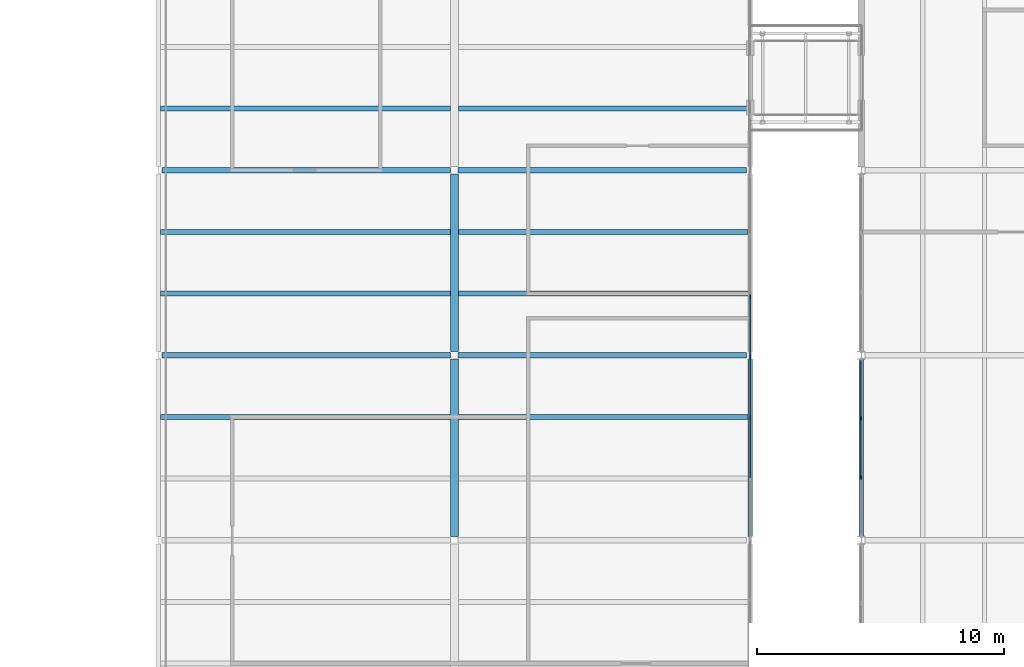
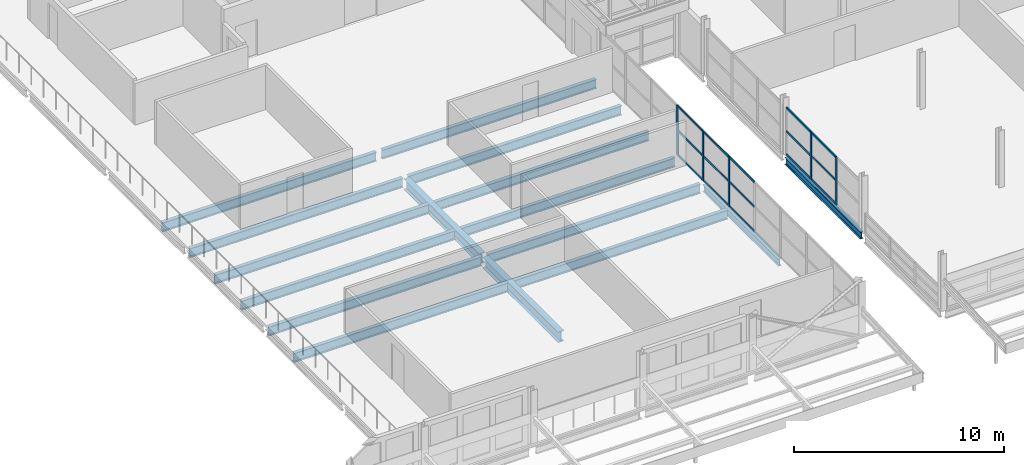
# One storey, part 38 of 214: 20 members, 16 beams, 2 elements without a shape of their own.
"""IFC4 building model written with IfcOpenShell, lengths in metres."""

from ifc_helpers import new_model, si_unit, direction, frame, origin, origin_2d, place, context, subcontext, project, spatial, rectangle, i_section, extrude, material, material_profile, profile_set, type_object, element, aggregate, save


model = new_model("IFC4")

# Units and contexts
model_context = context("Model", 3, precision=1e-05, world=origin(), true_north=direction((0.0, 1.0)))
body_context = subcontext(model_context, "Body", "Model", "MODEL_VIEW")
ifc_project = project(units=[si_unit("LENGTHUNIT", "METRE"), si_unit("AREAUNIT", "SQUARE_METRE"), si_unit("VOLUMEUNIT", "CUBIC_METRE"), si_unit("PLANEANGLEUNIT", "RADIAN"), si_unit("MASSUNIT", "GRAM", prefix="KILO")], contexts=[model_context])

# Site, building, storey
site_placement = place(None, origin())
site = spatial("IfcSite", under=ifc_project, at=site_placement, CompositionType="ELEMENT")
building_placement = place(site_placement, origin())
building = spatial("IfcBuilding", under=site, at=building_placement, Name="Parallax Yard Mobility Hub", CompositionType="ELEMENT")
storey_placement = place(building_placement, frame((0.0, 0.0, 3.300048828125)))
storey = spatial("IfcBuildingStorey", under=building, at=storey_placement, Name="L01", CompositionType="ELEMENT", Elevation=3.300048828125)

# Curtain wall, members
ifc_material_1 = material(Name="Thermally broken aluminium curtain wall system", Category="aluminium")
curtain_wall_type = type_object("IfcCurtainWallType", Name="Curtain wall run 60 x 160 frame", PredefinedType="NOTDEFINED", material=ifc_material_1)
curtain_wall_1_placement = place(storey_placement, origin())
curtain_wall_1 = element("IfcCurtainWall", 1, at=curtain_wall_1_placement, inside=storey, type_object=curtain_wall_type, Name="Curtain wall run Bus and taxi deck east end bay 1 level L01", PredefinedType="NOTDEFINED")
ifc_material_2 = material(Name="Extruded aluminium", Category="aluminium")
ifc_material_profile_1 = material_profile(ifc_material_2, rectangle(XDim=0.06005859375, YDim=0.159912109375, at=origin_2d()), Name="Mullion 60 x 160")
ifc_profile_set_1 = profile_set([ifc_material_profile_1], Name="Extruded aluminium")
member_type_1 = type_object("IfcMemberType", Name="Mullion 60 x 160", PredefinedType="MULLION", material=ifc_profile_set_1)
member_1_placement = place(storey_placement, frame((93.0, 19.96826171875, 0.0), z_axis=(0.0, 0.0, 1.0), x_axis=(-1.0, 0.0, 0.0)))
member_1 = element("IfcMember", 2, at=member_1_placement, type_object=member_type_1, Name="CW1 mullion 6", PredefinedType="MULLION", context=body_context, shape_type="SweptSolid", body=[
    extrude(rectangle(XDim=0.06005859375, YDim=0.159912109375, at=origin_2d()), origin(), (0.0, 0.0, 1.0), 2.89404296875),
])
member_2_placement = place(storey_placement, frame((93.0, 22.424560546875, 0.0), z_axis=(0.0, 0.0, 1.0), x_axis=(-1.0, 0.0, 0.0)))
member_2 = element("IfcMember", 3, at=member_2_placement, type_object=member_type_1, Name="CW1 mullion 7", PredefinedType="MULLION", context=body_context, shape_type="SweptSolid", body=[
    extrude(rectangle(XDim=0.06005859375, YDim=0.159912109375, at=origin_2d()), origin(), (0.0, 0.0, 1.0), 2.89404296875),
])
member_3_placement = place(storey_placement, frame((93.0, 24.880859375, 0.0), z_axis=(0.0, 0.0, 1.0), x_axis=(-1.0, 0.0, 0.0)))
member_3 = element("IfcMember", 4, at=member_3_placement, type_object=member_type_1, Name="CW1 mullion 8", PredefinedType="MULLION", context=body_context, shape_type="SweptSolid", body=[
    extrude(rectangle(XDim=0.06005859375, YDim=0.159912109375, at=origin_2d()), origin(), (0.0, 0.0, 1.0), 2.89404296875),
])

curtain_wall_2_placement = place(storey_placement, origin())
curtain_wall_2 = element("IfcCurtainWall", 5, at=curtain_wall_2_placement, inside=storey, type_object=curtain_wall_type, Name="Curtain wall run Mobility service centre and workshops west bay 2 level L01", PredefinedType="NOTDEFINED")
member_4_placement = place(storey_placement, frame((97.5, 17.55126953125, 0.0), z_axis=(0.0, 0.0, 1.0), x_axis=(-1.0, 0.0, 0.0)))
member_4 = element("IfcMember", 6, at=member_4_placement, type_object=member_type_1, Name="CW1 mullion 2", PredefinedType="MULLION", context=body_context, shape_type="SweptSolid", body=[
    extrude(rectangle(XDim=0.06005859375, YDim=0.159912109375, at=origin_2d()), origin(), (0.0, 0.0, 1.0), 2.7509765625),
])
member_5_placement = place(storey_placement, frame((97.5, 19.94873046875, 0.0), z_axis=(0.0, 0.0, 1.0), x_axis=(-1.0, 0.0, 0.0)))
member_5 = element("IfcMember", 7, at=member_5_placement, type_object=member_type_1, Name="CW1 mullion 3", PredefinedType="MULLION", context=body_context, shape_type="SweptSolid", body=[
    extrude(rectangle(XDim=0.06005859375, YDim=0.159912109375, at=origin_2d()), origin(), (0.0, 0.0, 1.0), 2.7509765625),
])

# Member
ifc_material_profile_2 = material_profile(ifc_material_2, rectangle(XDim=0.06005859375, YDim=0.1201171875, at=origin_2d()), Name="Transom 60 x 120")
ifc_profile_set_2 = profile_set([ifc_material_profile_2], Name="Extruded aluminium")
member_type_2 = type_object("IfcMemberType", Name="Transom 60 x 120", PredefinedType="USERDEFINED", material=ifc_profile_set_2)
member_6_placement = place(storey_placement, frame((93.0, 17.5419921875, 0.030029296875), z_axis=(0.0, 1.0, 0.0), x_axis=(-1.0, 0.0, 0.0)))
member_6 = element("IfcMember", 8, at=member_6_placement, type_object=member_type_2, Name="CW1 transom 5.1", ObjectType="TRANSOM", PredefinedType="USERDEFINED", context=body_context, shape_type="SweptSolid", body=[
    extrude(rectangle(XDim=0.06005859375, YDim=0.1201171875, at=origin_2d()), origin(), (0.0, 0.0, 1.0), 2.396240234375),
])

member_7_placement = place(storey_placement, frame((93.0, 17.5419921875, 1.447021484375), z_axis=(0.0, 1.0, 0.0), x_axis=(-1.0, 0.0, 0.0)))
member_7 = element("IfcMember", 9, at=member_7_placement, type_object=member_type_2, Name="CW1 transom 5.2", ObjectType="TRANSOM", PredefinedType="USERDEFINED", context=body_context, shape_type="SweptSolid", body=[
    extrude(rectangle(XDim=0.06005859375, YDim=0.1201171875, at=origin_2d()), origin(), (0.0, 0.0, 1.0), 2.396240234375),
])

member_8_placement = place(storey_placement, frame((93.0, 17.5419921875, 2.864013671875), z_axis=(0.0, 1.0, 0.0), x_axis=(-1.0, 0.0, 0.0)))
member_8 = element("IfcMember", 10, at=member_8_placement, type_object=member_type_2, Name="CW1 transom 5.3", ObjectType="TRANSOM", PredefinedType="USERDEFINED", context=body_context, shape_type="SweptSolid", body=[
    extrude(rectangle(XDim=0.06005859375, YDim=0.1201171875, at=origin_2d()), origin(), (0.0, 0.0, 1.0), 2.396240234375),
])

member_9_placement = place(storey_placement, frame((93.0, 19.998291015625, 0.030029296875), z_axis=(0.0, 1.0, 0.0), x_axis=(-1.0, 0.0, 0.0)))
member_9 = element("IfcMember", 11, at=member_9_placement, type_object=member_type_2, Name="CW1 transom 6.1", ObjectType="TRANSOM", PredefinedType="USERDEFINED", context=body_context, shape_type="SweptSolid", body=[
    extrude(rectangle(XDim=0.06005859375, YDim=0.1201171875, at=origin_2d()), origin(), (0.0, 0.0, 1.0), 2.396240234375),
])

member_10_placement = place(storey_placement, frame((93.0, 19.998291015625, 1.447021484375), z_axis=(0.0, 1.0, 0.0), x_axis=(-1.0, 0.0, 0.0)))
member_10 = element("IfcMember", 12, at=member_10_placement, type_object=member_type_2, Name="CW1 transom 6.2", ObjectType="TRANSOM", PredefinedType="USERDEFINED", context=body_context, shape_type="SweptSolid", body=[
    extrude(rectangle(XDim=0.06005859375, YDim=0.1201171875, at=origin_2d()), origin(), (0.0, 0.0, 1.0), 2.396240234375),
])

member_11_placement = place(storey_placement, frame((93.0, 19.998291015625, 2.864013671875), z_axis=(0.0, 1.0, 0.0), x_axis=(-1.0, 0.0, 0.0)))
member_11 = element("IfcMember", 13, at=member_11_placement, type_object=member_type_2, Name="CW1 transom 6.3", ObjectType="TRANSOM", PredefinedType="USERDEFINED", context=body_context, shape_type="SweptSolid", body=[
    extrude(rectangle(XDim=0.06005859375, YDim=0.1201171875, at=origin_2d()), origin(), (0.0, 0.0, 1.0), 2.396240234375),
])

member_12_placement = place(storey_placement, frame((93.0, 22.45458984375, 0.030029296875), z_axis=(0.0, 1.0, 0.0), x_axis=(-1.0, 0.0, 0.0)))
member_12 = element("IfcMember", 14, at=member_12_placement, type_object=member_type_2, Name="CW1 transom 7.1", ObjectType="TRANSOM", PredefinedType="USERDEFINED", context=body_context, shape_type="SweptSolid", body=[
    extrude(rectangle(XDim=0.06005859375, YDim=0.1201171875, at=origin_2d()), origin(), (0.0, 0.0, 1.0), 2.396240234375),
])

member_13_placement = place(storey_placement, frame((93.0, 22.45458984375, 1.447021484375), z_axis=(0.0, 1.0, 0.0), x_axis=(-1.0, 0.0, 0.0)))
member_13 = element("IfcMember", 15, at=member_13_placement, type_object=member_type_2, Name="CW1 transom 7.2", ObjectType="TRANSOM", PredefinedType="USERDEFINED", context=body_context, shape_type="SweptSolid", body=[
    extrude(rectangle(XDim=0.06005859375, YDim=0.1201171875, at=origin_2d()), origin(), (0.0, 0.0, 1.0), 2.396240234375),
])

member_14_placement = place(storey_placement, frame((93.0, 22.45458984375, 2.864013671875), z_axis=(0.0, 1.0, 0.0), x_axis=(-1.0, 0.0, 0.0)))
member_14 = element("IfcMember", 16, at=member_14_placement, type_object=member_type_2, Name="CW1 transom 7.3", ObjectType="TRANSOM", PredefinedType="USERDEFINED", context=body_context, shape_type="SweptSolid", body=[
    extrude(rectangle(XDim=0.06005859375, YDim=0.1201171875, at=origin_2d()), origin(), (0.0, 0.0, 1.0), 2.396240234375),
])

aggregate(curtain_wall_1, [member_1, member_2, member_3, member_6, member_7, member_8, member_9, member_10, member_11, member_12, member_13, member_14])

member_15_placement = place(storey_placement, frame((97.5, 17.5810546875, 0.030029296875), z_axis=(0.0, 1.0, 0.0), x_axis=(-1.0, 0.0, 0.0)))
member_15 = element("IfcMember", 17, at=member_15_placement, type_object=member_type_2, Name="CW1 transom 2.1", ObjectType="TRANSOM", PredefinedType="USERDEFINED", context=body_context, shape_type="SweptSolid", body=[
    extrude(rectangle(XDim=0.06005859375, YDim=0.1201171875, at=origin_2d()), origin(), (0.0, 0.0, 1.0), 2.337890625),
])

member_16_placement = place(storey_placement, frame((97.5, 17.5810546875, 1.37548828125), z_axis=(0.0, 1.0, 0.0), x_axis=(-1.0, 0.0, 0.0)))
member_16 = element("IfcMember", 18, at=member_16_placement, type_object=member_type_2, Name="CW1 transom 2.2", ObjectType="TRANSOM", PredefinedType="USERDEFINED", context=body_context, shape_type="SweptSolid", body=[
    extrude(rectangle(XDim=0.06005859375, YDim=0.1201171875, at=origin_2d()), origin(), (0.0, 0.0, 1.0), 2.337890625),
])

member_17_placement = place(storey_placement, frame((97.5, 17.5810546875, 2.720947265625), z_axis=(0.0, 1.0, 0.0), x_axis=(-1.0, 0.0, 0.0)))
member_17 = element("IfcMember", 19, at=member_17_placement, type_object=member_type_2, Name="CW1 transom 2.3", ObjectType="TRANSOM", PredefinedType="USERDEFINED", context=body_context, shape_type="SweptSolid", body=[
    extrude(rectangle(XDim=0.06005859375, YDim=0.1201171875, at=origin_2d()), origin(), (0.0, 0.0, 1.0), 2.337890625),
])

member_18_placement = place(storey_placement, frame((97.5, 19.978759765625, 0.030029296875), z_axis=(0.0, 1.0, 0.0), x_axis=(-1.0, 0.0, 0.0)))
member_18 = element("IfcMember", 20, at=member_18_placement, type_object=member_type_2, Name="CW1 transom 3.1", ObjectType="TRANSOM", PredefinedType="USERDEFINED", context=body_context, shape_type="SweptSolid", body=[
    extrude(rectangle(XDim=0.06005859375, YDim=0.1201171875, at=origin_2d()), origin(), (0.0, 0.0, 1.0), 2.307861328125),
])

member_19_placement = place(storey_placement, frame((97.5, 19.978759765625, 1.37548828125), z_axis=(0.0, 1.0, 0.0), x_axis=(-1.0, 0.0, 0.0)))
member_19 = element("IfcMember", 21, at=member_19_placement, type_object=member_type_2, Name="CW1 transom 3.2", ObjectType="TRANSOM", PredefinedType="USERDEFINED", context=body_context, shape_type="SweptSolid", body=[
    extrude(rectangle(XDim=0.06005859375, YDim=0.1201171875, at=origin_2d()), origin(), (0.0, 0.0, 1.0), 2.307861328125),
])

member_20_placement = place(storey_placement, frame((97.5, 19.978759765625, 2.720947265625), z_axis=(0.0, 1.0, 0.0), x_axis=(-1.0, 0.0, 0.0)))
member_20 = element("IfcMember", 22, at=member_20_placement, type_object=member_type_2, Name="CW1 transom 3.3", ObjectType="TRANSOM", PredefinedType="USERDEFINED", context=body_context, shape_type="SweptSolid", body=[
    extrude(rectangle(XDim=0.06005859375, YDim=0.1201171875, at=origin_2d()), origin(), (0.0, 0.0, 1.0), 2.307861328125),
])

aggregate(curtain_wall_2, [member_4, member_5, member_15, member_16, member_17, member_18, member_19, member_20])

# Beams
ifc_material_3 = material(Name="Steel ASTM A992", Category="steel")
ifc_material_profile_3 = material_profile(ifc_material_3, i_section(OverallWidth=0.177978515625, OverallDepth=0.406005859375, WebThickness=0.0078125, FlangeThickness=0.0126953125, FilletRadius=0.01025390625, at=origin_2d()), Name="W410x60")
ifc_profile_set_3 = profile_set([ifc_material_profile_3], Name="Steel ASTM A992")
beam_type_1 = type_object("IfcBeamType", Name="W410x60 edge beam", PredefinedType="SPANDREL", material=ifc_profile_set_3)
beam_1_placement = place(storey_placement, frame((93.0, 15.153564453125, -0.343017578125), z_axis=(0.0, 1.0, 0.0), x_axis=(-1.0, 0.0, 0.0)))
element("IfcBeam", 23, at=beam_1_placement, inside=storey, type_object=beam_type_1, Name="Edge beam SB1 level L01, fold line F15 of bus and taxi deck, span 2", PredefinedType="SPANDREL", context=body_context, shape_type="SweptSolid", body=[
    extrude(i_section(OverallWidth=0.177978515625, OverallDepth=0.406005859375, WebThickness=0.0078125, FlangeThickness=0.0126953125, FilletRadius=0.01025390625, at=origin_2d()), origin(), (0.0, 0.0, 1.0), 7.19287109375),
])
ifc_material_profile_4 = material_profile(ifc_material_3, i_section(OverallWidth=0.178955078125, OverallDepth=0.408935546875, WebThickness=0.0087890625, FlangeThickness=0.014404296875, FilletRadius=0.01025390625, at=origin_2d()), Name="W410x67")
ifc_profile_set_4 = profile_set([ifc_material_profile_4], Name="Steel ASTM A992")
beam_type_2 = type_object("IfcBeamType", Name="W410x67 edge beam", PredefinedType="SPANDREL", material=ifc_profile_set_4)
beam_2_placement = place(storey_placement, frame((97.5, 15.153564453125, -0.344482421875), z_axis=(0.0, 1.0, 0.0), x_axis=(-1.0, 0.0, 0.0)))
element("IfcBeam", 24, at=beam_2_placement, inside=storey, type_object=beam_type_2, Name="Edge beam SB3 level L01, line 14 of mobility service centre and workshops, span 2", PredefinedType="SPANDREL", context=body_context, shape_type="SweptSolid", body=[
    extrude(i_section(OverallWidth=0.178955078125, OverallDepth=0.408935546875, WebThickness=0.0087890625, FlangeThickness=0.014404296875, FilletRadius=0.01025390625, at=origin_2d()), origin(), (0.0, 0.0, 1.0), 7.19287109375),
])
ifc_material_profile_5 = material_profile(ifc_material_3, i_section(OverallWidth=0.208984375, OverallDepth=0.532958984375, WebThickness=0.01025390625, FlangeThickness=0.015625, FilletRadius=0.0126953125, at=origin_2d()), Name="W530x92")
ifc_profile_set_5 = profile_set([ifc_material_profile_5], Name="Steel ASTM A992")
beam_type_3 = type_object("IfcBeamType", Name="W530x92 secondary beam", PredefinedType="JOIST", material=ifc_profile_set_5)
for number, where, z_axis, x_axis, name in (
    (25, (69.089111328125, 25.0, -0.406494140625), (1.0, 0.0, 0.0), (0.0, 1.0, 0.0), "Secondary beam B2 level L01, 2.5 m north of line D of bus and taxi deck, span 1"),
    (26, (81.16259765625, 25.0, -0.406494140625), (1.0, 0.0, 0.0), (0.0, 1.0, 0.0), "Secondary beam B2 level L01, 2.5 m north of line D of bus and taxi deck, span 2"),
    (27, (69.089111328125, 32.5, -0.406494140625), (1.0, 0.0, 0.0), (0.0, 1.0, 0.0), "Secondary beam B2 level L01, 2.5 m north of line E of bus and taxi deck, span 1"),
    (28, (81.16259765625, 32.5, -0.406494140625), (1.0, 0.0, 0.0), (0.0, 1.0, 0.0), "Secondary beam B2 level L01, 2.5 m north of line E of bus and taxi deck, span 2"),
    (29, (69.089111328125, 20.0, -0.406494140625), (1.0, 0.0, 0.0), (0.0, 1.0, 0.0), "Secondary beam B2 level L01, 5 m north of line C of bus and taxi deck, span 1"),
    (30, (81.16259765625, 20.0, -0.406494140625), (1.0, 0.0, 0.0), (0.0, 1.0, 0.0), "Secondary beam B2 level L01, 5 m north of line C of bus and taxi deck, span 2"),
    (31, (69.089111328125, 27.5, -0.406494140625), (1.0, 0.0, 0.0), (0.0, 1.0, 0.0), "Secondary beam B2 level L01, 5 m north of line D of bus and taxi deck, span 1"),
    (32, (81.16259765625, 27.5, -0.406494140625), (1.0, 0.0, 0.0), (0.0, 1.0, 0.0), "Secondary beam B2 level L01, 5 m north of line D of bus and taxi deck, span 2"),
):
    element("IfcBeam", number, at=place(storey_placement, frame(where, z_axis=z_axis, x_axis=x_axis)), inside=storey, type_object=beam_type_3, Name=name, PredefinedType="JOIST", context=body_context, shape_type="SweptSolid", body=[
        extrude(i_section(OverallWidth=0.208984375, OverallDepth=0.532958984375, WebThickness=0.01025390625, FlangeThickness=0.015625, FilletRadius=0.0126953125, at=origin_2d()), origin(), (0.0, 0.0, 1.0), 11.748291015625),
    ])
for number, where, z_axis, x_axis, name in (
    (33, (69.152587890625, 22.5, -0.406494140625), (1.0, 0.0, 0.0), (0.0, 1.0, 0.0), "Secondary beam B2 level L01, line D of bus and taxi deck, span 1"),
    (34, (81.152587890625, 22.5, -0.406494140625), (1.0, 0.0, 0.0), (0.0, 1.0, 0.0), "Secondary beam B2 level L01, line D of bus and taxi deck, span 2"),
    (35, (69.152587890625, 30.0, -0.406494140625), (1.0, 0.0, 0.0), (0.0, 1.0, 0.0), "Secondary beam B2 level L01, line E of bus and taxi deck, span 1"),
    (36, (81.152587890625, 30.0, -0.406494140625), (1.0, 0.0, 0.0), (0.0, 1.0, 0.0), "Secondary beam B2 level L01, line E of bus and taxi deck, span 2"),
):
    element("IfcBeam", number, at=place(storey_placement, frame(where, z_axis=z_axis, x_axis=x_axis)), inside=storey, type_object=beam_type_3, Name=name, PredefinedType="JOIST", context=body_context, shape_type="SweptSolid", body=[
        extrude(i_section(OverallWidth=0.208984375, OverallDepth=0.532958984375, WebThickness=0.01025390625, FlangeThickness=0.015625, FilletRadius=0.0126953125, at=origin_2d()), origin(), (0.0, 0.0, 1.0), 11.69482421875),
    ])
ifc_material_profile_6 = material_profile(ifc_material_3, i_section(OverallWidth=0.324951171875, OverallDepth=0.612060546875, WebThickness=0.0126953125, FlangeThickness=0.01904296875, FilletRadius=0.0126953125, at=origin_2d()), Name="W610x155")
ifc_profile_set_6 = profile_set([ifc_material_profile_6], Name="Steel ASTM A992")
beam_type_4 = type_object("IfcBeamType", Name="W610x155 girder", PredefinedType="BEAM", material=ifc_profile_set_6)
for number, where, z_axis, x_axis, name in (
    (37, (81.0, 15.153564453125, -0.446044921875), (0.0, 1.0, 0.0), (-1.0, 0.0, 0.0), "Girder G4 level L01, fold line F13 of bus and taxi deck, span 2"),
    (38, (81.0, 22.653564453125, -0.446044921875), (0.0, 1.0, 0.0), (-1.0, 0.0, 0.0), "Girder G4 level L01, fold line F13 of bus and taxi deck, span 3"),
):
    element("IfcBeam", number, at=place(storey_placement, frame(where, z_axis=z_axis, x_axis=x_axis)), inside=storey, type_object=beam_type_4, Name=name, PredefinedType="BEAM", context=body_context, shape_type="SweptSolid", body=[
        extrude(i_section(OverallWidth=0.324951171875, OverallDepth=0.612060546875, WebThickness=0.0126953125, FlangeThickness=0.01904296875, FilletRadius=0.0126953125, at=origin_2d()), origin(), (0.0, 0.0, 1.0), 7.19287109375),
    ])

save(model, "model.ifc")
